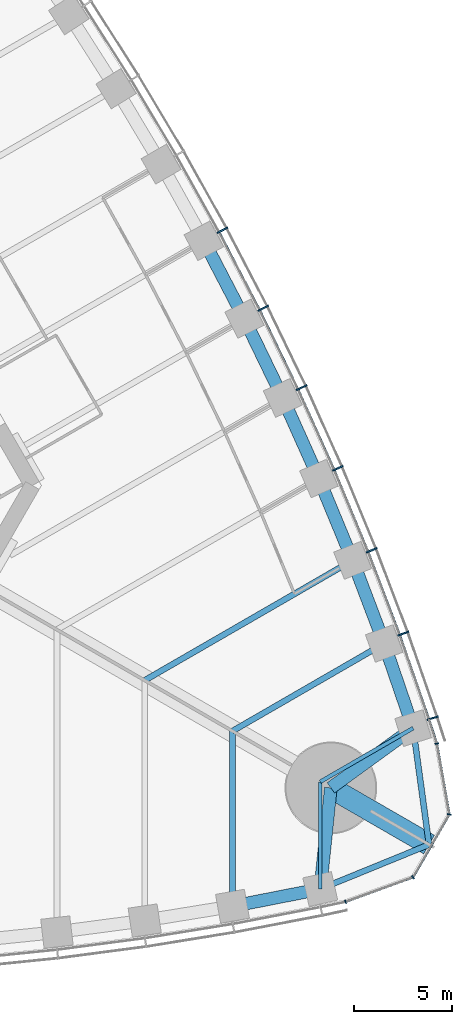
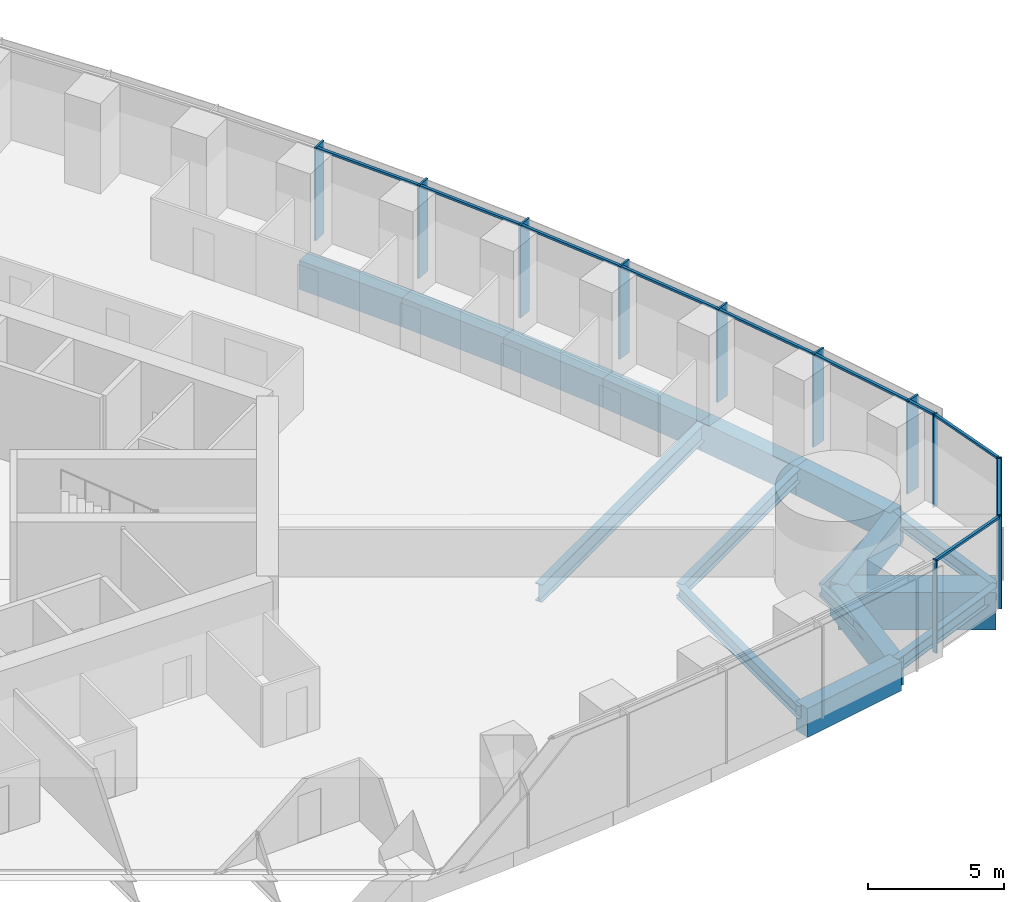
# One storey, part 6 of 18: 21 members, 17 beams, 2 elements without a shape of their own.
"""IFC4 building model written with IfcOpenShell, lengths in metres."""

from ifc_helpers import new_model, si_unit, direction, frame, origin, origin_2d, place, context, subcontext, project, spatial, rectangle, i_section, extrude, material, material_profile, profile_set, type_object, element, aggregate, save


model = new_model("IFC4")

# Units and contexts
model_context = context("Model", 3, precision=1e-05, world=origin(), true_north=direction((0.0, 1.0)))
body_context = subcontext(model_context, "Body", "Model", "MODEL_VIEW")
ifc_project = project(units=[si_unit("LENGTHUNIT", "METRE"), si_unit("AREAUNIT", "SQUARE_METRE"), si_unit("VOLUMEUNIT", "CUBIC_METRE"), si_unit("PLANEANGLEUNIT", "RADIAN"), si_unit("MASSUNIT", "GRAM", prefix="KILO")], contexts=[model_context])

# Site, building, storey
site_placement = place(None, origin())
site = spatial("IfcSite", under=ifc_project, at=site_placement, CompositionType="ELEMENT")
building_placement = place(site_placement, origin())
building = spatial("IfcBuilding", under=site, at=building_placement, Name="Trefoil Bronze Tower", CompositionType="ELEMENT")
storey_placement = place(building_placement, frame((0.0, 0.0, 29.10009765625)))
storey = spatial("IfcBuildingStorey", under=building, at=storey_placement, Name="L06", CompositionType="ELEMENT", Elevation=29.10009765625)

# Curtain wall, members
ifc_material_1 = material(Name="Tinted solar-control glass", Category="glass")
curtain_wall_type_1 = type_object("IfcCurtainWallType", Name="Bronze office curtain wall", PredefinedType="USERDEFINED", material=ifc_material_1)
curtain_wall_1_placement = place(storey_placement, origin())
curtain_wall_1 = element("IfcCurtainWall", 1, at=curtain_wall_1_placement, inside=storey, type_object=curtain_wall_type_1, Name="CW-A L06 F2", ObjectType="CURTAIN WALL", PredefinedType="USERDEFINED")
ifc_material_2 = material(Name="Bronze-finish aluminium", Category="aluminium")
ifc_material_profile_1 = material_profile(ifc_material_2, rectangle(XDim=0.60009765625, YDim=0.080078125, at=origin_2d()), Name="CW-A mullion")
ifc_profile_set_1 = profile_set([ifc_material_profile_1], Name="Bronze-finish aluminium")
member_type_1 = type_object("IfcMemberType", Name="Bronze office curtain wall mullion", PredefinedType="MULLION", material=ifc_profile_set_1)
member_1_placement = place(storey_placement, frame((37.265869140625, -14.92626953125, 0.0), z_axis=(0.0, 0.0, 1.0), x_axis=(-0.947850592929, -0.318715003543, 0.0)))
member_1 = element("IfcMember", 2, at=member_1_placement, type_object=member_type_1, Name="CW-A L06 F2 mullion 2", PredefinedType="MULLION", context=body_context, shape_type="SweptSolid", body=[
    extrude(rectangle(XDim=0.60009765625, YDim=0.080078125, at=origin_2d()), origin(), (0.0, 0.0, 1.0), 4.179931640625),
])
member_2_placement = place(storey_placement, frame((35.761962890625, -10.590087890625, 0.0), z_axis=(0.0, 0.0, 1.0), x_axis=(-0.939860248316, -0.341559238839, 0.0)))
member_2 = element("IfcMember", 3, at=member_2_placement, type_object=member_type_1, Name="CW-A L06 F2 mullion 3", PredefinedType="MULLION", context=body_context, shape_type="SweptSolid", body=[
    extrude(rectangle(XDim=0.60009765625, YDim=0.080078125, at=origin_2d()), origin(), (0.0, 0.0, 1.0), 4.179931640625),
])
member_3_placement = place(storey_placement, frame((34.138916015625, -6.32080078125, 0.0), z_axis=(0.0, 0.0, 1.0), x_axis=(-0.929413605838, -0.369039766534, 0.0)))
member_3 = element("IfcMember", 4, at=member_3_placement, type_object=member_type_1, Name="CW-A L06 F2 mullion 4", PredefinedType="MULLION", context=body_context, shape_type="SweptSolid", body=[
    extrude(rectangle(XDim=0.60009765625, YDim=0.080078125, at=origin_2d()), origin(), (0.0, 0.0, 1.0), 4.179931640625),
])
member_4_placement = place(storey_placement, frame((32.39892578125, -2.119384765625, 0.0), z_axis=(0.0, 0.0, 1.0), x_axis=(-0.918213748442, -0.396085233469, 0.0)))
member_4 = element("IfcMember", 5, at=member_4_placement, type_object=member_type_1, Name="CW-A L06 F2 mullion 5", PredefinedType="MULLION", context=body_context, shape_type="SweptSolid", body=[
    extrude(rectangle(XDim=0.60009765625, YDim=0.080078125, at=origin_2d()), origin(), (0.0, 0.0, 1.0), 4.179931640625),
])
member_5_placement = place(storey_placement, frame((30.543212890625, 2.015380859375, 0.0), z_axis=(0.0, 0.0, 1.0), x_axis=(-0.906269346572, -0.422700687798, 0.0)))
member_5 = element("IfcMember", 6, at=member_5_placement, type_object=member_type_1, Name="CW-A L06 F2 mullion 6", PredefinedType="MULLION", context=body_context, shape_type="SweptSolid", body=[
    extrude(rectangle(XDim=0.60009765625, YDim=0.080078125, at=origin_2d()), origin(), (0.0, 0.0, 1.0), 4.179931640625),
])
member_6_placement = place(storey_placement, frame((28.57275390625, 6.084228515625, 0.0), z_axis=(0.0, 0.0, 1.0), x_axis=(-0.893587025891, -0.448889994497, 0.0)))
member_6 = element("IfcMember", 7, at=member_6_placement, type_object=member_type_1, Name="CW-A L06 F2 mullion 7", PredefinedType="MULLION", context=body_context, shape_type="SweptSolid", body=[
    extrude(rectangle(XDim=0.60009765625, YDim=0.080078125, at=origin_2d()), origin(), (0.0, 0.0, 1.0), 4.179931640625),
])
member_7_placement = place(storey_placement, frame((26.488525390625, 10.0869140625, 0.0), z_axis=(0.0, 0.0, 1.0), x_axis=(-0.880171454588, -0.474655886437, 0.0)))
member_7 = element("IfcMember", 8, at=member_7_placement, type_object=member_type_1, Name="CW-A L06 F2 mullion 8", PredefinedType="MULLION", context=body_context, shape_type="SweptSolid", body=[
    extrude(rectangle(XDim=0.60009765625, YDim=0.080078125, at=origin_2d()), origin(), (0.0, 0.0, 1.0), 4.179931640625),
])
ifc_material_3 = material(Name="Bronze-finish aluminium", Category="aluminium")
ifc_material_profile_2 = material_profile(ifc_material_3, rectangle(XDim=0.1201171875, YDim=0.10009765625, at=origin_2d()), Name="CW-A transom")
ifc_profile_set_2 = profile_set([ifc_material_profile_2], Name="Bronze-finish aluminium")
member_type_2 = type_object("IfcMemberType", Name="Bronze office curtain wall transom", PredefinedType="USERDEFINED", material=ifc_profile_set_2)
member_8_placement = place(storey_placement, frame((37.4638671875, -16.1796875, 4.1298828125), z_axis=(-0.309624219148, 0.950859002648, 0.0), x_axis=(-0.950859002648, -0.309624219148, 0.0)))
member_8 = element("IfcMember", 9, at=member_8_placement, type_object=member_type_2, Name="CW-A L06 F2 transom 1", ObjectType="TRANSOM", PredefinedType="USERDEFINED", context=body_context, shape_type="SweptSolid", body=[
    extrude(rectangle(XDim=0.1201171875, YDim=0.10009765625, at=origin_2d()), origin(), (0.0, 0.0, 1.0), 1.21044921875),
])
member_9_placement = place(storey_placement, frame((37.06298828125, -14.951171875, 4.1298828125), z_axis=(-0.327689728493, 0.944785394595, 0.0), x_axis=(-0.944785394595, -0.327689728493, 0.0)))
member_9 = element("IfcMember", 10, at=member_9_placement, type_object=member_type_2, Name="CW-A L06 F2 transom 2", ObjectType="TRANSOM", PredefinedType="USERDEFINED", context=body_context, shape_type="SweptSolid", body=[
    extrude(rectangle(XDim=0.1201171875, YDim=0.10009765625, at=origin_2d()), origin(), (0.0, 0.0, 1.0), 4.502197265625),
])
member_10_placement = place(storey_placement, frame((35.559326171875, -10.61962890625, 4.1298828125), z_axis=(-0.355367327392, 0.934726731522, 0.0), x_axis=(-0.934726731522, -0.355367327392, 0.0)))
member_10 = element("IfcMember", 11, at=member_10_placement, type_object=member_type_2, Name="CW-A L06 F2 transom 3", ObjectType="TRANSOM", PredefinedType="USERDEFINED", context=body_context, shape_type="SweptSolid", body=[
    extrude(rectangle(XDim=0.1201171875, YDim=0.10009765625, at=origin_2d()), origin(), (0.0, 0.0, 1.0), 4.478515625),
])
member_11_placement = place(storey_placement, frame((33.937255859375, -6.3564453125, 4.1298828125), z_axis=(-0.382616149417, 0.923907399151, 0.0), x_axis=(-0.923907399151, -0.382616149417, 0.0)))
member_11 = element("IfcMember", 12, at=member_11_placement, type_object=member_type_2, Name="CW-A L06 F2 transom 4", ObjectType="TRANSOM", PredefinedType="USERDEFINED", context=body_context, shape_type="SweptSolid", body=[
    extrude(rectangle(XDim=0.1201171875, YDim=0.10009765625, at=origin_2d()), origin(), (0.0, 0.0, 1.0), 4.458984375),
])
member_12_placement = place(storey_placement, frame((32.1982421875, -2.16064453125, 4.1298828125), z_axis=(-0.409459746452, 0.912328184392, 0.0), x_axis=(-0.912328184392, -0.409459746452, 0.0)))
member_12 = element("IfcMember", 13, at=member_12_placement, type_object=member_type_2, Name="CW-A L06 F2 transom 5", ObjectType="TRANSOM", PredefinedType="USERDEFINED", context=body_context, shape_type="SweptSolid", body=[
    extrude(rectangle(XDim=0.1201171875, YDim=0.10009765625, at=origin_2d()), origin(), (0.0, 0.0, 1.0), 4.443359375),
])
member_13_placement = place(storey_placement, frame((30.34375, 1.96826171875, 4.1298828125), z_axis=(-0.435851763293, 0.900018466719, 0.0), x_axis=(-0.900018466719, -0.435851763293, 0.0)))
member_13 = element("IfcMember", 14, at=member_13_placement, type_object=member_type_2, Name="CW-A L06 F2 transom 6", ObjectType="TRANSOM", PredefinedType="USERDEFINED", context=body_context, shape_type="SweptSolid", body=[
    extrude(rectangle(XDim=0.1201171875, YDim=0.10009765625, at=origin_2d()), origin(), (0.0, 0.0, 1.0), 4.431884765625),
])
member_14_placement = place(storey_placement, frame((28.375, 6.031005859375, 4.1298828125), z_axis=(-0.461809621225, 0.886979071762, 0.0), x_axis=(-0.886979071762, -0.461809621225, 0.0)))
member_14 = element("IfcMember", 15, at=member_14_placement, type_object=member_type_2, Name="CW-A L06 F2 transom 7", ObjectType="TRANSOM", PredefinedType="USERDEFINED", context=body_context, shape_type="SweptSolid", body=[
    extrude(rectangle(XDim=0.1201171875, YDim=0.10009765625, at=origin_2d()), origin(), (0.0, 0.0, 1.0), 4.42431640625),
])
aggregate(curtain_wall_1, [member_1, member_2, member_3, member_4, member_5, member_6, member_7, member_8, member_9, member_10, member_11, member_12, member_13, member_14])

ifc_material_4 = material(Name="Tinted solar-control glass", Category="glass")
curtain_wall_type_2 = type_object("IfcCurtainWallType", Name="Bronze rounded corner curtain wall", PredefinedType="USERDEFINED", material=ifc_material_4)
curtain_wall_2_placement = place(storey_placement, origin())
curtain_wall_2 = element("IfcCurtainWall", 16, at=curtain_wall_2_placement, inside=storey, type_object=curtain_wall_type_2, Name="CW-B L06 K1", ObjectType="CURTAIN WALL", PredefinedType="USERDEFINED")
ifc_material_5 = material(Name="Bronze-finish aluminium", Category="aluminium")
ifc_material_profile_3 = material_profile(ifc_material_5, rectangle(XDim=0.199951171875, YDim=0.06005859375, at=origin_2d()), Name="CW-B mullion")
ifc_profile_set_3 = profile_set([ifc_material_profile_3], Name="Bronze-finish aluminium")
member_type_3 = type_object("IfcMemberType", Name="Bronze rounded corner curtain wall mullion", PredefinedType="MULLION", material=ifc_profile_set_3)
member_15_placement = place(storey_placement, frame((32.796630859375, -24.3427734375, 0.0), z_axis=(0.0, 0.0, 1.0), x_axis=(-0.342020143326, 0.939692620786, 0.0)))
member_15 = element("IfcMember", 17, at=member_15_placement, type_object=member_type_3, Name="CW-B L06 K1 mullion 1", PredefinedType="MULLION", context=body_context, shape_type="SweptSolid", body=[
    extrude(rectangle(XDim=0.199951171875, YDim=0.06005859375, at=origin_2d()), origin(), (0.0, 0.0, 1.0), 4.179931640625),
])
member_16_placement = place(storey_placement, frame((36.2548828125, -23.07763671875, 0.0), z_axis=(0.0, 0.0, 1.0), x_axis=(-0.642787609687, 0.766044443119, 0.0)))
member_16 = element("IfcMember", 18, at=member_16_placement, type_object=member_type_3, Name="CW-B L06 K1 mullion 2", PredefinedType="MULLION", context=body_context, shape_type="SweptSolid", body=[
    extrude(rectangle(XDim=0.199951171875, YDim=0.06005859375, at=origin_2d()), origin(), (0.0, 0.0, 1.0), 4.179931640625),
])
member_17_placement = place(storey_placement, frame((38.11328125, -19.85888671875, 0.0), z_axis=(0.0, 0.0, 1.0), x_axis=(-0.984807753012, 0.173648177667, 0.0)))
member_17 = element("IfcMember", 19, at=member_17_placement, type_object=member_type_3, Name="CW-B L06 K1 mullion 3", PredefinedType="MULLION", context=body_context, shape_type="SweptSolid", body=[
    extrude(rectangle(XDim=0.199951171875, YDim=0.06005859375, at=origin_2d()), origin(), (0.0, 0.0, 1.0), 4.179931640625),
])
member_18_placement = place(storey_placement, frame((37.479736328125, -16.2314453125, 0.0), z_axis=(0.0, 0.0, 1.0), x_axis=(-0.984807753012, -0.173648177667, 0.0)))
member_18 = element("IfcMember", 20, at=member_18_placement, type_object=member_type_3, Name="CW-B L06 K1 mullion 4", PredefinedType="MULLION", context=body_context, shape_type="SweptSolid", body=[
    extrude(rectangle(XDim=0.199951171875, YDim=0.06005859375, at=origin_2d()), origin(), (0.0, 0.0, 1.0), 4.179931640625),
])
ifc_material_6 = material(Name="Bronze-finish aluminium", Category="aluminium")
ifc_material_profile_4 = material_profile(ifc_material_6, rectangle(XDim=0.1201171875, YDim=0.10009765625, at=origin_2d()), Name="CW-B transom")
ifc_profile_set_4 = profile_set([ifc_material_profile_4], Name="Bronze-finish aluminium")
member_type_4 = type_object("IfcMemberType", Name="Bronze rounded corner curtain wall transom", PredefinedType="USERDEFINED", material=ifc_profile_set_4)
member_19_placement = place(storey_placement, frame((32.82470703125, -24.33251953125, 4.1298828125), z_axis=(0.939688092095, 0.342032585545, 0.0), x_axis=(-0.342032585545, 0.939688092095, 0.0)))
member_19 = element("IfcMember", 21, at=member_19_placement, type_object=member_type_4, Name="CW-B L06 K1 transom 1", ObjectType="TRANSOM", PredefinedType="USERDEFINED", context=body_context, shape_type="SweptSolid", body=[
    extrude(rectangle(XDim=0.1201171875, YDim=0.10009765625, at=origin_2d()), origin(), (0.0, 0.0, 1.0), 3.588134765625),
])
member_20_placement = place(storey_placement, frame((36.292236328125, -23.02490234375, 4.1298828125), z_axis=(0.500024788772, 0.866011091507, 0.0), x_axis=(-0.866011091507, 0.500024788772, 0.0)))
member_20 = element("IfcMember", 22, at=member_20_placement, type_object=member_type_4, Name="CW-B L06 K1 transom 2", ObjectType="TRANSOM", PredefinedType="USERDEFINED", context=body_context, shape_type="SweptSolid", body=[
    extrude(rectangle(XDim=0.1201171875, YDim=0.10009765625, at=origin_2d()), origin(), (0.0, 0.0, 1.0), 3.588134765625),
])
member_21_placement = place(storey_placement, frame((38.10791015625, -19.794677734375, 4.1298828125), z_axis=(-0.17363783606, 0.984809576461, 0.0), x_axis=(-0.984809576461, -0.17363783606, 0.0)))
member_21 = element("IfcMember", 23, at=member_21_placement, type_object=member_type_4, Name="CW-B L06 K1 transom 3", ObjectType="TRANSOM", PredefinedType="USERDEFINED", context=body_context, shape_type="SweptSolid", body=[
    extrude(rectangle(XDim=0.1201171875, YDim=0.10009765625, at=origin_2d()), origin(), (0.0, 0.0, 1.0), 3.588134765625),
])
aggregate(curtain_wall_2, [member_15, member_16, member_17, member_18, member_19, member_20, member_21])

# Beams
ifc_material_7 = material(Name="Concrete B80", Category="concrete")
ifc_material_profile_5 = material_profile(ifc_material_7, rectangle(XDim=1.10009765625, YDim=1.699951171875, at=origin_2d()), Name="RC 1100x1700")
ifc_profile_set_5 = profile_set([ifc_material_profile_5], Name="Concrete B80")
beam_type_1 = type_object("IfcBeamType", Name="Corner cantilever RC 1100x1700", PredefinedType="BEAM", material=ifc_profile_set_5)
beam_1_placement = place(storey_placement, frame((32.04296875, -18.5, -1.050048828125), z_axis=(0.866030348588, -0.499991435252, 0.0), x_axis=(0.499991435252, 0.866030348588, 0.0)))
element("IfcBeam", 24, at=beam_1_placement, inside=storey, type_object=beam_type_1, Name="Corner cantilever K1 L06", PredefinedType="BEAM", context=body_context, shape_type="SweptSolid", body=[
    extrude(rectangle(XDim=1.10009765625, YDim=1.699951171875, at=origin_2d()), origin(), (0.0, 0.0, 1.0), 5.81396484375),
])
ifc_material_8 = material(Name="Steel C355", Category="steel")
ifc_material_profile_6 = material_profile(ifc_material_8, i_section(OverallWidth=0.300048828125, OverallDepth=0.60009765625, WebThickness=0.015380859375, FlangeThickness=0.030029296875, FilletRadius=0.027099609375, at=origin_2d()), Name="HEB 600")
ifc_profile_set_6 = profile_set([ifc_material_profile_6], Name="Steel C355")
beam_type_2 = type_object("IfcBeamType", Name="Corner edge beam HEB 600", PredefinedType="BEAM", material=ifc_profile_set_6)
beam_2_placement = place(storey_placement, frame((31.5, -23.684814453125, -0.5), z_axis=(0.925786874353, 0.378045848114, 0.0), x_axis=(-0.378045848114, 0.925786874353, 0.0)))
element("IfcBeam", 25, at=beam_2_placement, inside=storey, type_object=beam_type_2, Name="Corner edge beam F1A L06", PredefinedType="BEAM", context=body_context, shape_type="SweptSolid", body=[
    extrude(i_section(OverallWidth=0.300048828125, OverallDepth=0.60009765625, WebThickness=0.015380859375, FlangeThickness=0.030029296875, FilletRadius=0.027099609375, at=origin_2d()), origin(), (0.0, 0.0, 1.0), 6.025390625),
])
beam_3_placement = place(storey_placement, frame((36.26171875, -15.4375, -0.5), z_axis=(0.13550196505, -0.990777077585, 0.0), x_axis=(0.990777077585, 0.13550196505, 0.0)))
element("IfcBeam", 26, at=beam_3_placement, inside=storey, type_object=beam_type_2, Name="Corner edge beam F2B L06", PredefinedType="BEAM", context=body_context, shape_type="SweptSolid", body=[
    extrude(i_section(OverallWidth=0.300048828125, OverallDepth=0.60009765625, WebThickness=0.015380859375, FlangeThickness=0.030029296875, FilletRadius=0.027099609375, at=origin_2d()), origin(), (0.0, 0.0, 1.0), 6.025146484375),
])
ifc_material_9 = material(Name="Concrete B80", Category="concrete")
ifc_material_profile_7 = material_profile(ifc_material_9, rectangle(XDim=0.64990234375, YDim=1.300048828125, at=origin_2d()), Name="RC 650x1300")
ifc_profile_set_7 = profile_set([ifc_material_profile_7], Name="Concrete B80")
beam_type_3 = type_object("IfcBeamType", Name="End spandrel beam RC 650x1300", PredefinedType="SPANDREL", material=ifc_profile_set_7)
for number, where, z_axis, x_axis, name in (
    (27, (31.5, -23.684814453125, -0.85009765625), (0.104153327908, 0.994561252154, 0.0), (-0.994561252154, 0.104153327908, 0.0), "Spandrel F1.16 L06"),
    (28, (32.04296875, -18.5, -0.85009765625), (0.809254211267, 0.587458612624, 0.0), (-0.587458612624, 0.809254211267, 0.0), "Spandrel F2.1 L06"),
):
    element("IfcBeam", number, at=place(storey_placement, frame(where, z_axis=z_axis, x_axis=x_axis)), inside=storey, type_object=beam_type_3, Name=name, PredefinedType="SPANDREL", context=body_context, shape_type="SweptSolid", body=[
        extrude(rectangle(XDim=0.64990234375, YDim=1.300048828125, at=origin_2d()), origin(), (0.0, 0.0, 1.0), 5.213134765625),
    ])
ifc_material_10 = material(Name="Steel C355", Category="steel")
ifc_material_profile_8 = material_profile(ifc_material_10, i_section(OverallWidth=0.300048828125, OverallDepth=0.590087890625, WebThickness=0.012939453125, FlangeThickness=0.02490234375, FilletRadius=0.027099609375, at=origin_2d()), Name="HEA 600")
ifc_profile_set_8 = profile_set([ifc_material_profile_8], Name="Steel C355")
beam_type_4 = type_object("IfcBeamType", Name="Floor beam HEA 600", PredefinedType="BEAM", material=ifc_profile_set_8)
for number, where, z_axis, x_axis, name in (
    (29, (27.0, -24.56787109375, -0.4951171875), (0.0, 1.0, 0.0), (-1.0, 0.0, 0.0), "Floor beam F1/+6 L06"),
    (30, (34.7763671875, -11.0986328125, -0.4951171875), (-0.866022587327, -0.500004878216, 0.0), (0.500004878216, -0.866022587327, 0.0), "Floor beam F2/-6 L06"),
):
    element("IfcBeam", number, at=place(storey_placement, frame(where, z_axis=z_axis, x_axis=x_axis)), inside=storey, type_object=beam_type_4, Name=name, PredefinedType="BEAM", context=body_context, shape_type="SweptSolid", body=[
        extrude(i_section(OverallWidth=0.300048828125, OverallDepth=0.590087890625, WebThickness=0.012939453125, FlangeThickness=0.02490234375, FilletRadius=0.027099609375, at=origin_2d()), origin(), (0.0, 0.0, 1.0), 8.9794921875),
    ])
ifc_material_11 = material(Name="Steel C355", Category="steel")
ifc_material_profile_9 = material_profile(ifc_material_11, i_section(OverallWidth=0.300048828125, OverallDepth=0.800048828125, WebThickness=0.017578125, FlangeThickness=0.032958984375, FilletRadius=0.030029296875, at=origin_2d()), Name="HEB 800")
ifc_profile_set_9 = profile_set([ifc_material_profile_9], Name="Steel C355")
beam_type_5 = type_object("IfcBeamType", Name="Floor beam HEB 800", PredefinedType="BEAM", material=ifc_profile_set_9)
beam_4_placement = place(storey_placement, frame((33.159912109375, -6.8359375, -0.60009765625), z_axis=(-0.866024070878, -0.500002308654, 0.0), x_axis=(0.500002308654, -0.866024070878, 0.0)))
element("IfcBeam", 31, at=beam_4_placement, inside=storey, type_object=beam_type_5, Name="Floor beam F2/-5 L06", PredefinedType="BEAM", context=body_context, shape_type="SweptSolid", body=[
    extrude(i_section(OverallWidth=0.300048828125, OverallDepth=0.800048828125, WebThickness=0.017578125, FlangeThickness=0.032958984375, FilletRadius=0.030029296875, at=origin_2d()), origin(), (0.0, 0.0, 1.0), 12.30908203125),
])
ifc_material_12 = material(Name="Steel C355", Category="steel")
ifc_material_profile_10 = material_profile(ifc_material_12, i_section(OverallWidth=0.199951171875, OverallDepth=0.5, WebThickness=0.01025390625, FlangeThickness=0.01611328125, FilletRadius=0.02099609375, at=origin_2d()), Name="IPE 500")
ifc_profile_set_10 = profile_set([ifc_material_profile_10], Name="Steel C355")
beam_type_6 = type_object("IfcBeamType", Name="Floor beam IPE 500", PredefinedType="BEAM", material=ifc_profile_set_10)
for number, where, z_axis, x_axis, name in (
    (32, (31.5, -23.684814453125, -0.4501953125), (0.0, 1.0, 0.0), (-1.0, 0.0, 0.0), "Floor beam F1/+7 L06"),
    (33, (36.26171875, -15.4375, -0.4501953125), (-0.866037702141, -0.499978698016, 0.0), (0.499978698016, -0.866037702141, 0.0), "Floor beam F2/-7 L06"),
):
    element("IfcBeam", number, at=place(storey_placement, frame(where, z_axis=z_axis, x_axis=x_axis)), inside=storey, type_object=beam_type_6, Name=name, PredefinedType="BEAM", context=body_context, shape_type="SweptSolid", body=[
        extrude(i_section(OverallWidth=0.199951171875, OverallDepth=0.5, WebThickness=0.01025390625, FlangeThickness=0.01611328125, FilletRadius=0.02099609375, at=origin_2d()), origin(), (0.0, 0.0, 1.0), 5.498291015625),
    ])
ifc_material_13 = material(Name="Concrete B80", Category="concrete")
ifc_material_profile_11 = material_profile(ifc_material_13, rectangle(XDim=0.64990234375, YDim=1.300048828125, at=origin_2d()), Name="RC 650x1300")
ifc_profile_set_11 = profile_set([ifc_material_profile_11], Name="Concrete B80")
beam_type_7 = type_object("IfcBeamType", Name="Spandrel beam RC 650x1300", PredefinedType="SPANDREL", material=ifc_profile_set_11)
beam_5_placement = place(storey_placement, frame((27.0, -24.56787109375, -0.85009765625), z_axis=(0.981284764092, 0.192562228283, 0.0), x_axis=(-0.192562228283, 0.981284764092, 0.0)))
element("IfcBeam", 34, at=beam_5_placement, inside=storey, type_object=beam_type_7, Name="Spandrel F1.15 L06", PredefinedType="SPANDREL", context=body_context, shape_type="SweptSolid", body=[
    extrude(rectangle(XDim=0.64990234375, YDim=1.300048828125, at=origin_2d()), origin(), (0.0, 0.0, 1.0), 4.5859375),
])
beam_6_placement = place(storey_placement, frame((36.26171875, -15.4375, -0.85009765625), z_axis=(-0.323883319148, 0.946097032855, 0.0), x_axis=(-0.946097032855, -0.323883319148, 0.0)))
element("IfcBeam", 35, at=beam_6_placement, inside=storey, type_object=beam_type_7, Name="Spandrel F2.2 L06", PredefinedType="SPANDREL", context=body_context, shape_type="SweptSolid", body=[
    extrude(rectangle(XDim=0.64990234375, YDim=1.300048828125, at=origin_2d()), origin(), (0.0, 0.0, 1.0), 4.586181640625),
])
beam_7_placement = place(storey_placement, frame((34.7763671875, -11.0986328125, -0.85009765625), z_axis=(-0.354571899767, 0.935028752443, 0.0), x_axis=(-0.935028752443, -0.354571899767, 0.0)))
element("IfcBeam", 36, at=beam_7_placement, inside=storey, type_object=beam_type_7, Name="Spandrel F2.3 L06", PredefinedType="SPANDREL", context=body_context, shape_type="SweptSolid", body=[
    extrude(rectangle(XDim=0.64990234375, YDim=1.300048828125, at=origin_2d()), origin(), (0.0, 0.0, 1.0), 4.558837890625),
])
beam_8_placement = place(storey_placement, frame((33.159912109375, -6.8359375, -0.85009765625), z_axis=(-0.382020825144, 0.924153715113, 0.0), x_axis=(-0.924153715113, -0.382020825144, 0.0)))
element("IfcBeam", 37, at=beam_8_placement, inside=storey, type_object=beam_type_7, Name="Spandrel F2.4 L06", PredefinedType="SPANDREL", context=body_context, shape_type="SweptSolid", body=[
    extrude(rectangle(XDim=0.64990234375, YDim=1.300048828125, at=origin_2d()), origin(), (0.0, 0.0, 1.0), 4.539306640625),
])
beam_9_placement = place(storey_placement, frame((31.42578125, -2.640869140625, -0.85009765625), z_axis=(-0.408945873044, 0.912558640812, 0.0), x_axis=(-0.912558640812, -0.408945873044, 0.0)))
element("IfcBeam", 38, at=beam_9_placement, inside=storey, type_object=beam_type_7, Name="Spandrel F2.5 L06", PredefinedType="SPANDREL", context=body_context, shape_type="SweptSolid", body=[
    extrude(rectangle(XDim=0.64990234375, YDim=1.300048828125, at=origin_2d()), origin(), (0.0, 0.0, 1.0), 4.5234375),
])
beam_10_placement = place(storey_placement, frame((29.575927734375, 1.487060546875, -0.85009765625), z_axis=(-0.435510013583, 0.900183885697, 0.0), x_axis=(-0.900183885697, -0.435510013583, 0.0)))
element("IfcBeam", 39, at=beam_10_placement, inside=storey, type_object=beam_type_7, Name="Spandrel F2.6 L06", PredefinedType="SPANDREL", context=body_context, shape_type="SweptSolid", body=[
    extrude(rectangle(XDim=0.64990234375, YDim=1.300048828125, at=origin_2d()), origin(), (0.0, 0.0, 1.0), 4.51220703125),
])
beam_11_placement = place(storey_placement, frame((27.61083984375, 5.548828125, -0.85009765625), z_axis=(-0.461637716615, 0.887068553495, 0.0), x_axis=(-0.887068553495, -0.461637716615, 0.0)))
element("IfcBeam", 40, at=beam_11_placement, inside=storey, type_object=beam_type_7, Name="Spandrel F2.7 L06", PredefinedType="SPANDREL", context=body_context, shape_type="SweptSolid", body=[
    extrude(rectangle(XDim=0.64990234375, YDim=1.300048828125, at=origin_2d()), origin(), (0.0, 0.0, 1.0), 4.50439453125),
])

save(model, "model.ifc")
